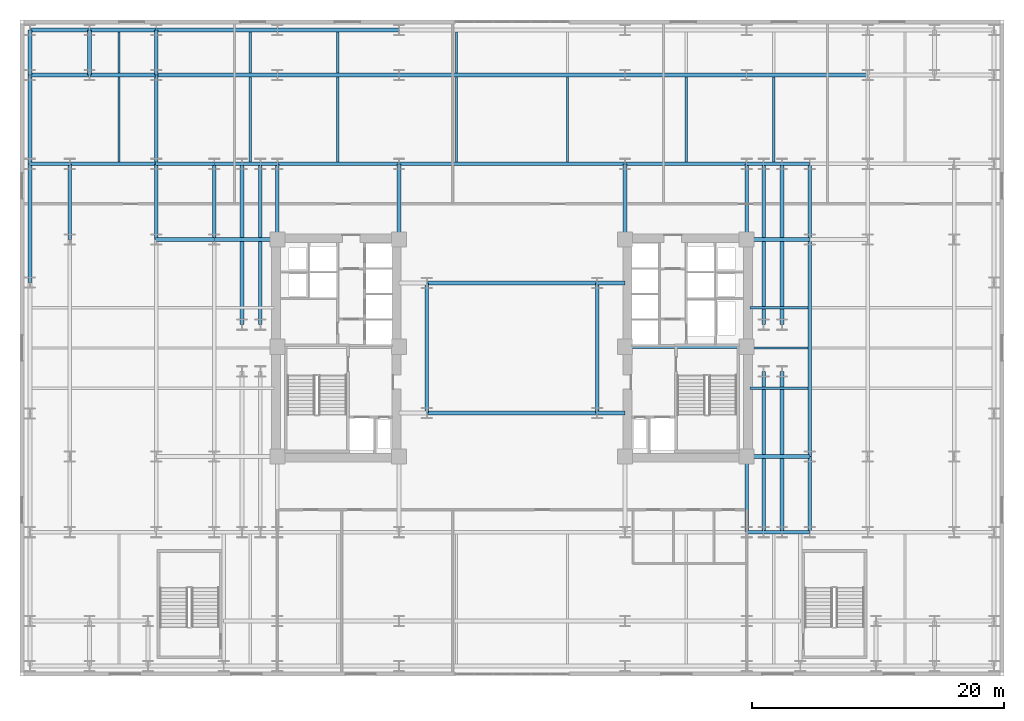
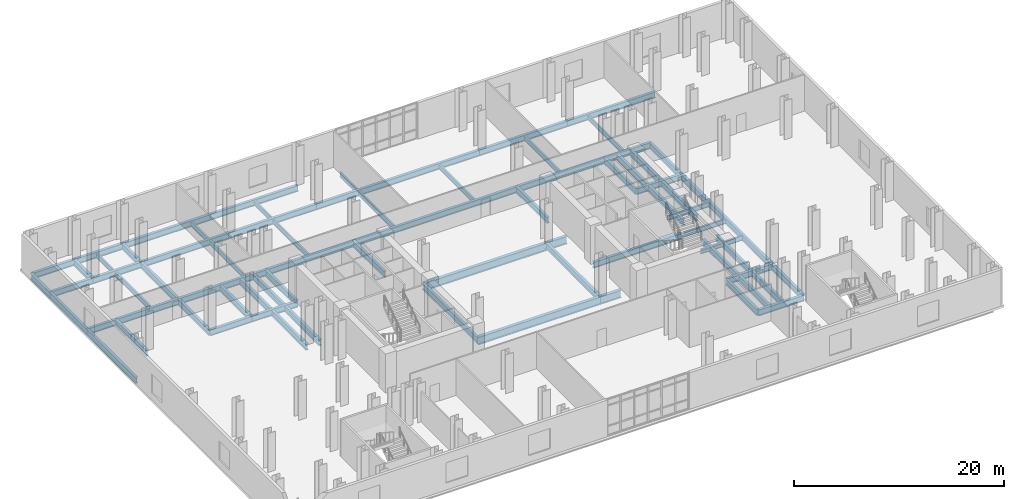
# One storey, part 4 of 13: 68 beams.
"""IFC4 building model written with IfcOpenShell, lengths in metres."""

from ifc_helpers import new_model, si_unit, direction, frame, origin, origin_2d, place, context, subcontext, project, spatial, i_section, extrude, material, material_profile, profile_set, type_object, element, save


model = new_model("IFC4")

# Units and contexts
model_context = context("Model", 3, precision=1e-05, world=origin(), true_north=direction((0.0, 1.0)))
body_context = subcontext(model_context, "Body", "Model", "MODEL_VIEW")
ifc_project = project(units=[si_unit("LENGTHUNIT", "METRE"), si_unit("AREAUNIT", "SQUARE_METRE"), si_unit("VOLUMEUNIT", "CUBIC_METRE"), si_unit("PLANEANGLEUNIT", "RADIAN"), si_unit("MASSUNIT", "GRAM", prefix="KILO")], contexts=[model_context])

# Site, building, storey
site_placement = place(None, origin())
site = spatial("IfcSite", under=ifc_project, at=site_placement, CompositionType="ELEMENT")
building_placement = place(site_placement, origin())
building = spatial("IfcBuilding", under=site, at=building_placement, Name="Velakula Bourse", CompositionType="ELEMENT")
storey_placement = place(building_placement, frame((0.0, 0.0, 9.60009765625)))
storey = spatial("IfcBuildingStorey", under=building, at=storey_placement, Name="L02", CompositionType="ELEMENT", Elevation=9.60009765625)

# Beams
ifc_material = material(Name="Steel IS 2062 Grade 350 (E350)", Category="steel")
ifc_material_profile_1 = material_profile(ifc_material, i_section(OverallWidth=0.35009765625, OverallDepth=0.89990234375, WebThickness=0.02001953125, FlangeThickness=0.031982421875, at=origin_2d()), Name="Steel IS 2062 Grade 350 (E350)")
ifc_profile_set_1 = profile_set([ifc_material_profile_1], Name="Steel IS 2062 Grade 350 (E350)")
beam_type_1 = type_object("IfcBeamType", Name="BM-LNK-900", PredefinedType="BEAM", material=ifc_profile_set_1)
beam_1_placement = place(storey_placement, frame((-6.75, -5.14990234375, -0.7001953125), z_axis=(1.0, 0.0, 0.0), x_axis=(0.0, 1.0, 0.0)))
element("IfcBeam", 1, at=beam_1_placement, inside=storey, type_object=beam_type_1, Name="L02 Primary Backbone Girder LNK-S2", PredefinedType="BEAM", context=body_context, shape_type="SweptSolid", body=[
    extrude(i_section(OverallWidth=0.35009765625, OverallDepth=0.89990234375, WebThickness=0.02001953125, FlangeThickness=0.031982421875, at=origin_2d()), origin(), (0.0, 0.0, 1.0), 13.5),
])
beam_2_placement = place(storey_placement, frame((6.75, -5.14990234375, -0.7001953125), z_axis=(1.0, 0.0, 0.0), x_axis=(0.0, 1.0, 0.0)))
element("IfcBeam", 2, at=beam_2_placement, inside=storey, type_object=beam_type_1, Name="L02 Primary Backbone Girder LNK-S3", PredefinedType="BEAM", context=body_context, shape_type="SweptSolid", body=[
    extrude(i_section(OverallWidth=0.35009765625, OverallDepth=0.89990234375, WebThickness=0.02001953125, FlangeThickness=0.031982421875, at=origin_2d()), origin(), (0.0, 0.0, 1.0), 2.199951171875),
])
beam_3_placement = place(storey_placement, frame((-6.75, 5.14990234375, -0.7001953125), z_axis=(1.0, 0.0, 0.0), x_axis=(0.0, 1.0, 0.0)))
element("IfcBeam", 3, at=beam_3_placement, inside=storey, type_object=beam_type_1, Name="L02 Primary Backbone Girder LNK-N2", PredefinedType="BEAM", context=body_context, shape_type="SweptSolid", body=[
    extrude(i_section(OverallWidth=0.35009765625, OverallDepth=0.89990234375, WebThickness=0.02001953125, FlangeThickness=0.031982421875, at=origin_2d()), origin(), (0.0, 0.0, 1.0), 13.5),
])
beam_4_placement = place(storey_placement, frame((6.75, 5.14990234375, -0.7001953125), z_axis=(1.0, 0.0, 0.0), x_axis=(0.0, 1.0, 0.0)))
element("IfcBeam", 4, at=beam_4_placement, inside=storey, type_object=beam_type_1, Name="L02 Primary Backbone Girder LNK-N3", PredefinedType="BEAM", context=body_context, shape_type="SweptSolid", body=[
    extrude(i_section(OverallWidth=0.35009765625, OverallDepth=0.89990234375, WebThickness=0.02001953125, FlangeThickness=0.031982421875, at=origin_2d()), origin(), (0.0, 0.0, 1.0), 2.199951171875),
])
ifc_material_profile_2 = material_profile(ifc_material, i_section(OverallWidth=0.300048828125, OverallDepth=0.699951171875, WebThickness=0.01611328125, FlangeThickness=0.02490234375, at=origin_2d()), Name="Steel IS 2062 Grade 350 (E350)")
ifc_profile_set_2 = profile_set([ifc_material_profile_2], Name="Steel IS 2062 Grade 350 (E350)")
beam_type_2 = type_object("IfcBeamType", Name="BM-POD-700", PredefinedType="BEAM", material=ifc_profile_set_2)
beam_5_placement = place(storey_placement, frame((8.949951171875, 0.10009765625, -0.60009765625), z_axis=(1.0, 0.0, 0.0), x_axis=(0.0, 1.0, 0.0)))
element("IfcBeam", 5, at=beam_5_placement, inside=storey, type_object=beam_type_2, Name="L02 Primary Backbone Girder CRE-M", PredefinedType="BEAM", context=body_context, shape_type="SweptSolid", body=[
    extrude(i_section(OverallWidth=0.300048828125, OverallDepth=0.699951171875, WebThickness=0.01611328125, FlangeThickness=0.02490234375, at=origin_2d()), origin(), (0.0, 0.0, 1.0), 9.650146484375),
])
for number, where, z_axis, x_axis, name in (
    (6, (-6.75, -5.14990234375, -0.60009765625), (0.0, 1.0, 0.0), (-1.0, 0.0, 0.0), "L02 Primary Backbone Girder SPN-W"),
    (7, (6.75, -5.14990234375, -0.60009765625), (0.0, 1.0, 0.0), (-1.0, 0.0, 0.0), "L02 Primary Backbone Girder SPN-E"),
):
    element("IfcBeam", number, at=place(storey_placement, frame(where, z_axis=z_axis, x_axis=x_axis)), inside=storey, type_object=beam_type_2, Name=name, PredefinedType="BEAM", context=body_context, shape_type="SweptSolid", body=[
        extrude(i_section(OverallWidth=0.300048828125, OverallDepth=0.699951171875, WebThickness=0.01611328125, FlangeThickness=0.02490234375, at=origin_2d()), origin(), (0.0, 0.0, 1.0), 10.2998046875),
    ])
for number, where, z_axis, x_axis, name in (
    (8, (-18.60009765625, 8.60009765625, -0.60009765625), (0.0, 1.0, 0.0), (-1.0, 0.0, 0.0), "L02 Fulcrum Grid Girder FLC-WN"),
    (9, (-8.949951171875, 8.60009765625, -0.60009765625), (0.0, 1.0, 0.0), (-1.0, 0.0, 0.0), "L02 Fulcrum Grid Girder FLC-WCN"),
    (10, (8.949951171875, 8.60009765625, -0.60009765625), (0.0, 1.0, 0.0), (-1.0, 0.0, 0.0), "L02 Fulcrum Grid Girder FLC-ECN"),
    (11, (18.60009765625, -14.60009765625, -0.60009765625), (0.0, 1.0, 0.0), (-1.0, 0.0, 0.0), "L02 Fulcrum Grid Girder FLC-ES"),
    (12, (18.60009765625, 8.60009765625, -0.60009765625), (0.0, 1.0, 0.0), (-1.0, 0.0, 0.0), "L02 Fulcrum Grid Girder FLC-EN"),
):
    element("IfcBeam", number, at=place(storey_placement, frame(where, z_axis=z_axis, x_axis=x_axis)), inside=storey, type_object=beam_type_2, Name=name, PredefinedType="BEAM", context=body_context, shape_type="SweptSolid", body=[
        extrude(i_section(OverallWidth=0.300048828125, OverallDepth=0.699951171875, WebThickness=0.01611328125, FlangeThickness=0.02490234375, at=origin_2d()), origin(), (0.0, 0.0, 1.0), 6.0),
    ])
beam_6_placement = place(storey_placement, frame((-18.60009765625, 14.60009765625, -0.60009765625), z_axis=(1.0, 0.0, 0.0), x_axis=(0.0, 1.0, 0.0)))
element("IfcBeam", 13, at=beam_6_placement, inside=storey, type_object=beam_type_2, Name="L02 Fulcrum Grid Girder FLC-N1", PredefinedType="BEAM", context=body_context, shape_type="SweptSolid", body=[
    extrude(i_section(OverallWidth=0.300048828125, OverallDepth=0.699951171875, WebThickness=0.01611328125, FlangeThickness=0.02490234375, at=origin_2d()), origin(), (0.0, 0.0, 1.0), 9.650146484375),
])
beam_7_placement = place(storey_placement, frame((-8.949951171875, 14.60009765625, -0.60009765625), z_axis=(1.0, 0.0, 0.0), x_axis=(0.0, 1.0, 0.0)))
element("IfcBeam", 14, at=beam_7_placement, inside=storey, type_object=beam_type_2, Name="L02 Fulcrum Grid Girder FLC-N2", PredefinedType="BEAM", context=body_context, shape_type="SweptSolid", body=[
    extrude(i_section(OverallWidth=0.300048828125, OverallDepth=0.699951171875, WebThickness=0.01611328125, FlangeThickness=0.02490234375, at=origin_2d()), origin(), (0.0, 0.0, 1.0), 17.89990234375),
])
beam_8_placement = place(storey_placement, frame((8.949951171875, 14.60009765625, -0.60009765625), z_axis=(1.0, 0.0, 0.0), x_axis=(0.0, 1.0, 0.0)))
element("IfcBeam", 15, at=beam_8_placement, inside=storey, type_object=beam_type_2, Name="L02 Fulcrum Grid Girder FLC-N3", PredefinedType="BEAM", context=body_context, shape_type="SweptSolid", body=[
    extrude(i_section(OverallWidth=0.300048828125, OverallDepth=0.699951171875, WebThickness=0.01611328125, FlangeThickness=0.02490234375, at=origin_2d()), origin(), (0.0, 0.0, 1.0), 9.650146484375),
])
for number, where, z_axis, x_axis, name in (
    (16, (-21.39990234375, 1.85009765625, -0.60009765625), (0.0, 1.0, 0.0), (-1.0, 0.0, 0.0), "L02 Fulcrum Grid Girder FLC-PNW1"),
    (17, (-19.949951171875, 1.85009765625, -0.60009765625), (0.0, 1.0, 0.0), (-1.0, 0.0, 0.0), "L02 Fulcrum Grid Girder FLC-PNW2"),
    (18, (19.949951171875, -14.60009765625, -0.60009765625), (0.0, 1.0, 0.0), (-1.0, 0.0, 0.0), "L02 Fulcrum Grid Girder FLC-PSE1"),
    (19, (19.949951171875, 1.85009765625, -0.60009765625), (0.0, 1.0, 0.0), (-1.0, 0.0, 0.0), "L02 Fulcrum Grid Girder FLC-PNE1"),
    (20, (21.39990234375, -14.60009765625, -0.60009765625), (0.0, 1.0, 0.0), (-1.0, 0.0, 0.0), "L02 Fulcrum Grid Girder FLC-PSE2"),
    (21, (21.39990234375, 1.85009765625, -0.60009765625), (0.0, 1.0, 0.0), (-1.0, 0.0, 0.0), "L02 Fulcrum Grid Girder FLC-PNE2"),
):
    element("IfcBeam", number, at=place(storey_placement, frame(where, z_axis=z_axis, x_axis=x_axis)), inside=storey, type_object=beam_type_2, Name=name, PredefinedType="BEAM", context=body_context, shape_type="SweptSolid", body=[
        extrude(i_section(OverallWidth=0.300048828125, OverallDepth=0.699951171875, WebThickness=0.01611328125, FlangeThickness=0.02490234375, at=origin_2d()), origin(), (0.0, 0.0, 1.0), 12.75),
    ])
for number, where, z_axis, x_axis, name in (
    (22, (-23.60009765625, 8.60009765625, -0.60009765625), (1.0, 0.0, 0.0), (0.0, 1.0, 0.0), "L02 Fulcrum Grid Girder MWG-WN1"),
    (23, (-23.60009765625, 14.60009765625, -0.60009765625), (1.0, 0.0, 0.0), (0.0, 1.0, 0.0), "L02 Fulcrum Grid Girder MWG-WN2"),
):
    element("IfcBeam", number, at=place(storey_placement, frame(where, z_axis=z_axis, x_axis=x_axis)), inside=storey, type_object=beam_type_2, Name=name, PredefinedType="BEAM", context=body_context, shape_type="SweptSolid", body=[
        extrude(i_section(OverallWidth=0.300048828125, OverallDepth=0.699951171875, WebThickness=0.01611328125, FlangeThickness=0.02490234375, at=origin_2d()), origin(), (0.0, 0.0, 1.0), 5.0),
    ])
beam_9_placement = place(storey_placement, frame((-23.60009765625, 8.60009765625, -0.60009765625), z_axis=(0.0, 1.0, 0.0), x_axis=(-1.0, 0.0, 0.0)))
element("IfcBeam", 24, at=beam_9_placement, inside=storey, type_object=beam_type_2, Name="L02 Fulcrum Grid Girder MWG-WNS3", PredefinedType="BEAM", context=body_context, shape_type="SweptSolid", body=[
    extrude(i_section(OverallWidth=0.300048828125, OverallDepth=0.699951171875, WebThickness=0.01611328125, FlangeThickness=0.02490234375, at=origin_2d()), origin(), (0.0, 0.0, 1.0), 6.0),
])
for number, where, z_axis, x_axis, name in (
    (25, (18.60009765625, -14.60009765625, -0.60009765625), (1.0, 0.0, 0.0), (0.0, 1.0, 0.0), "L02 Fulcrum Grid Girder MWG-ES1"),
    (26, (18.60009765625, -8.60009765625, -0.60009765625), (1.0, 0.0, 0.0), (0.0, 1.0, 0.0), "L02 Fulcrum Grid Girder MWG-ES2"),
    (27, (18.60009765625, 8.60009765625, -0.60009765625), (1.0, 0.0, 0.0), (0.0, 1.0, 0.0), "L02 Fulcrum Grid Girder MWG-EN1"),
    (28, (18.60009765625, 14.60009765625, -0.60009765625), (1.0, 0.0, 0.0), (0.0, 1.0, 0.0), "L02 Fulcrum Grid Girder MWG-EN2"),
):
    element("IfcBeam", number, at=place(storey_placement, frame(where, z_axis=z_axis, x_axis=x_axis)), inside=storey, type_object=beam_type_2, Name=name, PredefinedType="BEAM", context=body_context, shape_type="SweptSolid", body=[
        extrude(i_section(OverallWidth=0.300048828125, OverallDepth=0.699951171875, WebThickness=0.01611328125, FlangeThickness=0.02490234375, at=origin_2d()), origin(), (0.0, 0.0, 1.0), 5.0),
    ])
beam_10_placement = place(storey_placement, frame((23.60009765625, -14.60009765625, -0.60009765625), z_axis=(0.0, 1.0, 0.0), x_axis=(-1.0, 0.0, 0.0)))
element("IfcBeam", 29, at=beam_10_placement, inside=storey, type_object=beam_type_2, Name="L02 Fulcrum Grid Girder MWG-ENS1", PredefinedType="BEAM", context=body_context, shape_type="SweptSolid", body=[
    extrude(i_section(OverallWidth=0.300048828125, OverallDepth=0.699951171875, WebThickness=0.01611328125, FlangeThickness=0.02490234375, at=origin_2d()), origin(), (0.0, 0.0, 1.0), 6.0),
])
beam_11_placement = place(storey_placement, frame((23.60009765625, -8.60009765625, -0.60009765625), z_axis=(0.0, 1.0, 0.0), x_axis=(-1.0, 0.0, 0.0)))
element("IfcBeam", 30, at=beam_11_placement, inside=storey, type_object=beam_type_2, Name="L02 Fulcrum Grid Girder MWG-ENS2", PredefinedType="BEAM", context=body_context, shape_type="SweptSolid", body=[
    extrude(i_section(OverallWidth=0.300048828125, OverallDepth=0.699951171875, WebThickness=0.01611328125, FlangeThickness=0.02490234375, at=origin_2d()), origin(), (0.0, 0.0, 1.0), 17.2001953125),
])
beam_12_placement = place(storey_placement, frame((23.60009765625, 8.60009765625, -0.60009765625), z_axis=(0.0, 1.0, 0.0), x_axis=(-1.0, 0.0, 0.0)))
element("IfcBeam", 31, at=beam_12_placement, inside=storey, type_object=beam_type_2, Name="L02 Fulcrum Grid Girder MWG-ENS3", PredefinedType="BEAM", context=body_context, shape_type="SweptSolid", body=[
    extrude(i_section(OverallWidth=0.300048828125, OverallDepth=0.699951171875, WebThickness=0.01611328125, FlangeThickness=0.02490234375, at=origin_2d()), origin(), (0.0, 0.0, 1.0), 6.0),
])
for number, where, z_axis, x_axis, name in (
    (32, (-28.199951171875, 8.60009765625, -0.60009765625), (1.0, 0.0, 0.0), (0.0, 1.0, 0.0), "L02 Fulcrum Grid Girder WNG-WN1"),
    (33, (-28.199951171875, 14.60009765625, -0.60009765625), (1.0, 0.0, 0.0), (0.0, 1.0, 0.0), "L02 Fulcrum Grid Girder WNG-WN2"),
):
    element("IfcBeam", number, at=place(storey_placement, frame(where, z_axis=z_axis, x_axis=x_axis)), inside=storey, type_object=beam_type_2, Name=name, PredefinedType="BEAM", context=body_context, shape_type="SweptSolid", body=[
        extrude(i_section(OverallWidth=0.300048828125, OverallDepth=0.699951171875, WebThickness=0.01611328125, FlangeThickness=0.02490234375, at=origin_2d()), origin(), (0.0, 0.0, 1.0), 4.599853515625),
    ])
beam_13_placement = place(storey_placement, frame((-28.199951171875, 8.60009765625, -0.60009765625), z_axis=(0.0, 1.0, 0.0), x_axis=(-1.0, 0.0, 0.0)))
element("IfcBeam", 34, at=beam_13_placement, inside=storey, type_object=beam_type_2, Name="L02 Fulcrum Grid Girder WNG-WNS3", PredefinedType="BEAM", context=body_context, shape_type="SweptSolid", body=[
    extrude(i_section(OverallWidth=0.300048828125, OverallDepth=0.699951171875, WebThickness=0.01611328125, FlangeThickness=0.02490234375, at=origin_2d()), origin(), (0.0, 0.0, 1.0), 6.0),
])
beam_14_placement = place(storey_placement, frame((-38.199951171875, 14.60009765625, -0.60009765625), z_axis=(1.0, 0.0, 0.0), x_axis=(0.0, 1.0, 0.0)))
element("IfcBeam", 35, at=beam_14_placement, inside=storey, type_object=beam_type_2, Name="L02 Podium E-W Girder 34", PredefinedType="BEAM", context=body_context, shape_type="SweptSolid", body=[
    extrude(i_section(OverallWidth=0.300048828125, OverallDepth=0.699951171875, WebThickness=0.01611328125, FlangeThickness=0.02490234375, at=origin_2d()), origin(), (0.0, 0.0, 1.0), 3.14990234375),
])
beam_15_placement = place(storey_placement, frame((-35.050048828125, 14.60009765625, -0.60009765625), z_axis=(1.0, 0.0, 0.0), x_axis=(0.0, 1.0, 0.0)))
element("IfcBeam", 36, at=beam_15_placement, inside=storey, type_object=beam_type_2, Name="L02 Podium E-W Girder 35", PredefinedType="BEAM", context=body_context, shape_type="SweptSolid", body=[
    extrude(i_section(OverallWidth=0.300048828125, OverallDepth=0.699951171875, WebThickness=0.01611328125, FlangeThickness=0.02490234375, at=origin_2d()), origin(), (0.0, 0.0, 1.0), 6.85009765625),
])
beam_16_placement = place(storey_placement, frame((-38.199951171875, 21.64990234375, -0.60009765625), z_axis=(1.0, 0.0, 0.0), x_axis=(0.0, 1.0, 0.0)))
element("IfcBeam", 37, at=beam_16_placement, inside=storey, type_object=beam_type_2, Name="L02 Podium E-W Girder 47", PredefinedType="BEAM", context=body_context, shape_type="SweptSolid", body=[
    extrude(i_section(OverallWidth=0.300048828125, OverallDepth=0.699951171875, WebThickness=0.01611328125, FlangeThickness=0.02490234375, at=origin_2d()), origin(), (0.0, 0.0, 1.0), 4.699951171875),
])
beam_17_placement = place(storey_placement, frame((-33.5, 21.64990234375, -0.60009765625), z_axis=(1.0, 0.0, 0.0), x_axis=(0.0, 1.0, 0.0)))
element("IfcBeam", 38, at=beam_17_placement, inside=storey, type_object=beam_type_2, Name="L02 Podium E-W Girder 48", PredefinedType="BEAM", context=body_context, shape_type="SweptSolid", body=[
    extrude(i_section(OverallWidth=0.300048828125, OverallDepth=0.699951171875, WebThickness=0.01611328125, FlangeThickness=0.02490234375, at=origin_2d()), origin(), (0.0, 0.0, 1.0), 5.300048828125),
])
beam_18_placement = place(storey_placement, frame((-28.199951171875, 21.64990234375, -0.60009765625), z_axis=(1.0, 0.0, 0.0), x_axis=(0.0, 1.0, 0.0)))
element("IfcBeam", 39, at=beam_18_placement, inside=storey, type_object=beam_type_2, Name="L02 Podium E-W Girder 49", PredefinedType="BEAM", context=body_context, shape_type="SweptSolid", body=[
    extrude(i_section(OverallWidth=0.300048828125, OverallDepth=0.699951171875, WebThickness=0.01611328125, FlangeThickness=0.02490234375, at=origin_2d()), origin(), (0.0, 0.0, 1.0), 9.599853515625),
])
beam_19_placement = place(storey_placement, frame((-18.60009765625, 21.64990234375, -0.60009765625), z_axis=(1.0, 0.0, 0.0), x_axis=(0.0, 1.0, 0.0)))
element("IfcBeam", 40, at=beam_19_placement, inside=storey, type_object=beam_type_2, Name="L02 Podium E-W Girder 50", PredefinedType="BEAM", context=body_context, shape_type="SweptSolid", body=[
    extrude(i_section(OverallWidth=0.300048828125, OverallDepth=0.699951171875, WebThickness=0.01611328125, FlangeThickness=0.02490234375, at=origin_2d()), origin(), (0.0, 0.0, 1.0), 9.650146484375),
])
beam_20_placement = place(storey_placement, frame((-8.949951171875, 21.64990234375, -0.60009765625), z_axis=(1.0, 0.0, 0.0), x_axis=(0.0, 1.0, 0.0)))
element("IfcBeam", 41, at=beam_20_placement, inside=storey, type_object=beam_type_2, Name="L02 Podium E-W Girder 51", PredefinedType="BEAM", context=body_context, shape_type="SweptSolid", body=[
    extrude(i_section(OverallWidth=0.300048828125, OverallDepth=0.699951171875, WebThickness=0.01611328125, FlangeThickness=0.02490234375, at=origin_2d()), origin(), (0.0, 0.0, 1.0), 17.89990234375),
])
beam_21_placement = place(storey_placement, frame((8.949951171875, 21.64990234375, -0.60009765625), z_axis=(1.0, 0.0, 0.0), x_axis=(0.0, 1.0, 0.0)))
element("IfcBeam", 42, at=beam_21_placement, inside=storey, type_object=beam_type_2, Name="L02 Podium E-W Girder 52", PredefinedType="BEAM", context=body_context, shape_type="SweptSolid", body=[
    extrude(i_section(OverallWidth=0.300048828125, OverallDepth=0.699951171875, WebThickness=0.01611328125, FlangeThickness=0.02490234375, at=origin_2d()), origin(), (0.0, 0.0, 1.0), 9.650146484375),
])
beam_22_placement = place(storey_placement, frame((18.60009765625, 21.64990234375, -0.60009765625), z_axis=(1.0, 0.0, 0.0), x_axis=(0.0, 1.0, 0.0)))
element("IfcBeam", 43, at=beam_22_placement, inside=storey, type_object=beam_type_2, Name="L02 Podium E-W Girder 53", PredefinedType="BEAM", context=body_context, shape_type="SweptSolid", body=[
    extrude(i_section(OverallWidth=0.300048828125, OverallDepth=0.699951171875, WebThickness=0.01611328125, FlangeThickness=0.02490234375, at=origin_2d()), origin(), (0.0, 0.0, 1.0), 9.599853515625),
])
beam_23_placement = place(storey_placement, frame((-38.199951171875, 25.199951171875, -0.60009765625), z_axis=(1.0, 0.0, 0.0), x_axis=(0.0, 1.0, 0.0)))
element("IfcBeam", 44, at=beam_23_placement, inside=storey, type_object=beam_type_2, Name="L02 Podium E-W Girder 56", PredefinedType="BEAM", context=body_context, shape_type="SweptSolid", body=[
    extrude(i_section(OverallWidth=0.300048828125, OverallDepth=0.699951171875, WebThickness=0.01611328125, FlangeThickness=0.02490234375, at=origin_2d()), origin(), (0.0, 0.0, 1.0), 4.699951171875),
])
beam_24_placement = place(storey_placement, frame((-33.5, 25.199951171875, -0.60009765625), z_axis=(1.0, 0.0, 0.0), x_axis=(0.0, 1.0, 0.0)))
element("IfcBeam", 45, at=beam_24_placement, inside=storey, type_object=beam_type_2, Name="L02 Podium E-W Girder 57", PredefinedType="BEAM", context=body_context, shape_type="SweptSolid", body=[
    extrude(i_section(OverallWidth=0.300048828125, OverallDepth=0.699951171875, WebThickness=0.01611328125, FlangeThickness=0.02490234375, at=origin_2d()), origin(), (0.0, 0.0, 1.0), 5.300048828125),
])
beam_25_placement = place(storey_placement, frame((-28.199951171875, 25.199951171875, -0.60009765625), z_axis=(1.0, 0.0, 0.0), x_axis=(0.0, 1.0, 0.0)))
element("IfcBeam", 46, at=beam_25_placement, inside=storey, type_object=beam_type_2, Name="L02 Podium E-W Girder 58", PredefinedType="BEAM", context=body_context, shape_type="SweptSolid", body=[
    extrude(i_section(OverallWidth=0.300048828125, OverallDepth=0.699951171875, WebThickness=0.01611328125, FlangeThickness=0.02490234375, at=origin_2d()), origin(), (0.0, 0.0, 1.0), 9.599853515625),
])
beam_26_placement = place(storey_placement, frame((-18.60009765625, 25.199951171875, -0.60009765625), z_axis=(1.0, 0.0, 0.0), x_axis=(0.0, 1.0, 0.0)))
element("IfcBeam", 47, at=beam_26_placement, inside=storey, type_object=beam_type_2, Name="L02 Podium E-W Girder 59", PredefinedType="BEAM", context=body_context, shape_type="SweptSolid", body=[
    extrude(i_section(OverallWidth=0.300048828125, OverallDepth=0.699951171875, WebThickness=0.01611328125, FlangeThickness=0.02490234375, at=origin_2d()), origin(), (0.0, 0.0, 1.0), 9.650146484375),
])
beam_27_placement = place(storey_placement, frame((-38.199951171875, 5.199951171875, -0.60009765625), z_axis=(0.0, 1.0, 0.0), x_axis=(-1.0, 0.0, 0.0)))
element("IfcBeam", 48, at=beam_27_placement, inside=storey, type_object=beam_type_2, Name="L02 Podium N-S Girder 69", PredefinedType="BEAM", context=body_context, shape_type="SweptSolid", body=[
    extrude(i_section(OverallWidth=0.300048828125, OverallDepth=0.699951171875, WebThickness=0.01611328125, FlangeThickness=0.02490234375, at=origin_2d()), origin(), (0.0, 0.0, 1.0), 9.400146484375),
])
beam_28_placement = place(storey_placement, frame((-38.199951171875, 14.60009765625, -0.60009765625), z_axis=(0.0, 1.0, 0.0), x_axis=(-1.0, 0.0, 0.0)))
element("IfcBeam", 49, at=beam_28_placement, inside=storey, type_object=beam_type_2, Name="L02 Podium N-S Girder 70", PredefinedType="BEAM", context=body_context, shape_type="SweptSolid", body=[
    extrude(i_section(OverallWidth=0.300048828125, OverallDepth=0.699951171875, WebThickness=0.01611328125, FlangeThickness=0.02490234375, at=origin_2d()), origin(), (0.0, 0.0, 1.0), 7.0498046875),
])
beam_29_placement = place(storey_placement, frame((-38.199951171875, 21.64990234375, -0.60009765625), z_axis=(0.0, 1.0, 0.0), x_axis=(-1.0, 0.0, 0.0)))
element("IfcBeam", 50, at=beam_29_placement, inside=storey, type_object=beam_type_2, Name="L02 Podium N-S Girder 71", PredefinedType="BEAM", context=body_context, shape_type="SweptSolid", body=[
    extrude(i_section(OverallWidth=0.300048828125, OverallDepth=0.699951171875, WebThickness=0.01611328125, FlangeThickness=0.02490234375, at=origin_2d()), origin(), (0.0, 0.0, 1.0), 3.550048828125),
])
beam_30_placement = place(storey_placement, frame((-35.050048828125, 8.60009765625, -0.60009765625), z_axis=(0.0, 1.0, 0.0), x_axis=(-1.0, 0.0, 0.0)))
element("IfcBeam", 51, at=beam_30_placement, inside=storey, type_object=beam_type_2, Name="L02 Podium N-S Girder 74", PredefinedType="BEAM", context=body_context, shape_type="SweptSolid", body=[
    extrude(i_section(OverallWidth=0.300048828125, OverallDepth=0.699951171875, WebThickness=0.01611328125, FlangeThickness=0.02490234375, at=origin_2d()), origin(), (0.0, 0.0, 1.0), 6.0),
])
beam_31_placement = place(storey_placement, frame((-28.199951171875, 14.60009765625, -0.60009765625), z_axis=(0.0, 1.0, 0.0), x_axis=(-1.0, 0.0, 0.0)))
element("IfcBeam", 52, at=beam_31_placement, inside=storey, type_object=beam_type_2, Name="L02 Podium N-S Girder 80", PredefinedType="BEAM", context=body_context, shape_type="SweptSolid", body=[
    extrude(i_section(OverallWidth=0.300048828125, OverallDepth=0.699951171875, WebThickness=0.01611328125, FlangeThickness=0.02490234375, at=origin_2d()), origin(), (0.0, 0.0, 1.0), 7.0498046875),
])
for number, where, z_axis, x_axis, name in (
    (53, (-28.199951171875, 21.64990234375, -0.60009765625), (0.0, 1.0, 0.0), (-1.0, 0.0, 0.0), "L02 Podium N-S Girder 81"),
    (54, (-33.5, 21.64990234375, -0.60009765625), (0.0, 1.0, 0.0), (-1.0, 0.0, 0.0), "L02 Podium N-S Girder 99"),
):
    element("IfcBeam", number, at=place(storey_placement, frame(where, z_axis=z_axis, x_axis=x_axis)), inside=storey, type_object=beam_type_2, Name=name, PredefinedType="BEAM", context=body_context, shape_type="SweptSolid", body=[
        extrude(i_section(OverallWidth=0.300048828125, OverallDepth=0.699951171875, WebThickness=0.01611328125, FlangeThickness=0.02490234375, at=origin_2d()), origin(), (0.0, 0.0, 1.0), 3.550048828125),
    ])
ifc_material_profile_3 = material_profile(ifc_material, i_section(OverallWidth=0.18994140625, OverallDepth=0.550048828125, WebThickness=0.01123046875, FlangeThickness=0.019287109375, at=origin_2d()), Name="Steel IS 2062 Grade 350 (E350)")
ifc_profile_set_3 = profile_set([ifc_material_profile_3], Name="Steel IS 2062 Grade 350 (E350)")
beam_type_3 = type_object("IfcBeamType", Name="JST-POD-550", PredefinedType="JOIST", material=ifc_profile_set_3)
beam_32_placement = place(storey_placement, frame((-31.14990234375, 14.75, -0.525146484375), z_axis=(0.0, 1.0, 0.0), x_axis=(-1.0, 0.0, 0.0)))
element("IfcBeam", 55, at=beam_32_placement, inside=storey, type_object=beam_type_3, Name="L02 Station Podium Floor Joist 03", PredefinedType="JOIST", context=body_context, shape_type="SweptSolid", body=[
    extrude(i_section(OverallWidth=0.18994140625, OverallDepth=0.550048828125, WebThickness=0.01123046875, FlangeThickness=0.019287109375, at=origin_2d()), origin(), (0.0, 0.0, 1.0), 6.75),
])
beam_33_placement = place(storey_placement, frame((-31.14990234375, 21.800048828125, -0.525146484375), z_axis=(0.0, 1.0, 0.0), x_axis=(-1.0, 0.0, 0.0)))
element("IfcBeam", 56, at=beam_33_placement, inside=storey, type_object=beam_type_3, Name="L02 Station Podium Floor Joist 04", PredefinedType="JOIST", context=body_context, shape_type="SweptSolid", body=[
    extrude(i_section(OverallWidth=0.18994140625, OverallDepth=0.550048828125, WebThickness=0.01123046875, FlangeThickness=0.019287109375, at=origin_2d()), origin(), (0.0, 0.0, 1.0), 3.25),
])
beam_34_placement = place(storey_placement, frame((-20.75, 14.75, -0.525146484375), z_axis=(0.0, 1.0, 0.0), x_axis=(-1.0, 0.0, 0.0)))
element("IfcBeam", 57, at=beam_34_placement, inside=storey, type_object=beam_type_3, Name="L02 Station Podium Floor Joist 07", PredefinedType="JOIST", context=body_context, shape_type="SweptSolid", body=[
    extrude(i_section(OverallWidth=0.18994140625, OverallDepth=0.550048828125, WebThickness=0.01123046875, FlangeThickness=0.019287109375, at=origin_2d()), origin(), (0.0, 0.0, 1.0), 6.75),
])
beam_35_placement = place(storey_placement, frame((-20.75, 21.800048828125, -0.525146484375), z_axis=(0.0, 1.0, 0.0), x_axis=(-1.0, 0.0, 0.0)))
element("IfcBeam", 58, at=beam_35_placement, inside=storey, type_object=beam_type_3, Name="L02 Station Podium Floor Joist 08", PredefinedType="JOIST", context=body_context, shape_type="SweptSolid", body=[
    extrude(i_section(OverallWidth=0.18994140625, OverallDepth=0.550048828125, WebThickness=0.01123046875, FlangeThickness=0.019287109375, at=origin_2d()), origin(), (0.0, 0.0, 1.0), 3.25),
])
beam_36_placement = place(storey_placement, frame((-13.800048828125, 14.75, -0.525146484375), z_axis=(0.0, 1.0, 0.0), x_axis=(-1.0, 0.0, 0.0)))
element("IfcBeam", 59, at=beam_36_placement, inside=storey, type_object=beam_type_3, Name="L02 Station Podium Floor Joist 11", PredefinedType="JOIST", context=body_context, shape_type="SweptSolid", body=[
    extrude(i_section(OverallWidth=0.18994140625, OverallDepth=0.550048828125, WebThickness=0.01123046875, FlangeThickness=0.019287109375, at=origin_2d()), origin(), (0.0, 0.0, 1.0), 6.75),
])
beam_37_placement = place(storey_placement, frame((-13.800048828125, 21.800048828125, -0.525146484375), z_axis=(0.0, 1.0, 0.0), x_axis=(-1.0, 0.0, 0.0)))
element("IfcBeam", 60, at=beam_37_placement, inside=storey, type_object=beam_type_3, Name="L02 Station Podium Floor Joist 12", PredefinedType="JOIST", context=body_context, shape_type="SweptSolid", body=[
    extrude(i_section(OverallWidth=0.18994140625, OverallDepth=0.550048828125, WebThickness=0.01123046875, FlangeThickness=0.019287109375, at=origin_2d()), origin(), (0.0, 0.0, 1.0), 3.25),
])
beam_38_placement = place(storey_placement, frame((-4.39990234375, 14.75, -0.525146484375), z_axis=(0.0, 1.0, 0.0), x_axis=(-1.0, 0.0, 0.0)))
element("IfcBeam", 61, at=beam_38_placement, inside=storey, type_object=beam_type_3, Name="L02 Station Podium Floor Joist 15", PredefinedType="JOIST", context=body_context, shape_type="SweptSolid", body=[
    extrude(i_section(OverallWidth=0.18994140625, OverallDepth=0.550048828125, WebThickness=0.01123046875, FlangeThickness=0.019287109375, at=origin_2d()), origin(), (0.0, 0.0, 1.0), 6.75),
])
beam_39_placement = place(storey_placement, frame((-4.39990234375, 21.800048828125, -0.525146484375), z_axis=(0.0, 1.0, 0.0), x_axis=(-1.0, 0.0, 0.0)))
element("IfcBeam", 62, at=beam_39_placement, inside=storey, type_object=beam_type_3, Name="L02 Station Podium Floor Joist 16", PredefinedType="JOIST", context=body_context, shape_type="SweptSolid", body=[
    extrude(i_section(OverallWidth=0.18994140625, OverallDepth=0.550048828125, WebThickness=0.01123046875, FlangeThickness=0.019287109375, at=origin_2d()), origin(), (0.0, 0.0, 1.0), 3.25),
])
for number, where, z_axis, x_axis, name in (
    (63, (4.39990234375, 14.75, -0.525146484375), (0.0, 1.0, 0.0), (-1.0, 0.0, 0.0), "L02 Station Podium Floor Joist 19"),
    (64, (13.800048828125, 14.75, -0.525146484375), (0.0, 1.0, 0.0), (-1.0, 0.0, 0.0), "L02 Station Podium Floor Joist 23"),
    (65, (20.75, 14.75, -0.525146484375), (0.0, 1.0, 0.0), (-1.0, 0.0, 0.0), "L02 Station Podium Floor Joist 27"),
):
    element("IfcBeam", number, at=place(storey_placement, frame(where, z_axis=z_axis, x_axis=x_axis)), inside=storey, type_object=beam_type_3, Name=name, PredefinedType="JOIST", context=body_context, shape_type="SweptSolid", body=[
        extrude(i_section(OverallWidth=0.18994140625, OverallDepth=0.550048828125, WebThickness=0.01123046875, FlangeThickness=0.019287109375, at=origin_2d()), origin(), (0.0, 0.0, 1.0), 6.75),
    ])
for number, where, z_axis, x_axis, name in (
    (66, (18.85009765625, -3.199951171875, -0.525146484375), (1.0, 0.0, 0.0), (0.0, 1.0, 0.0), "L02 Station Wing Floor Joist 37"),
    (67, (18.85009765625, 0.0, -0.525146484375), (1.0, 0.0, 0.0), (0.0, 1.0, 0.0), "L02 Station Wing Floor Joist 45"),
    (68, (18.85009765625, 3.199951171875, -0.525146484375), (1.0, 0.0, 0.0), (0.0, 1.0, 0.0), "L02 Station Wing Floor Joist 53"),
):
    element("IfcBeam", number, at=place(storey_placement, frame(where, z_axis=z_axis, x_axis=x_axis)), inside=storey, type_object=beam_type_3, Name=name, PredefinedType="JOIST", context=body_context, shape_type="SweptSolid", body=[
        extrude(i_section(OverallWidth=0.18994140625, OverallDepth=0.550048828125, WebThickness=0.01123046875, FlangeThickness=0.019287109375, at=origin_2d()), origin(), (0.0, 0.0, 1.0), 4.599853515625),
    ])

save(model, "model.ifc")
